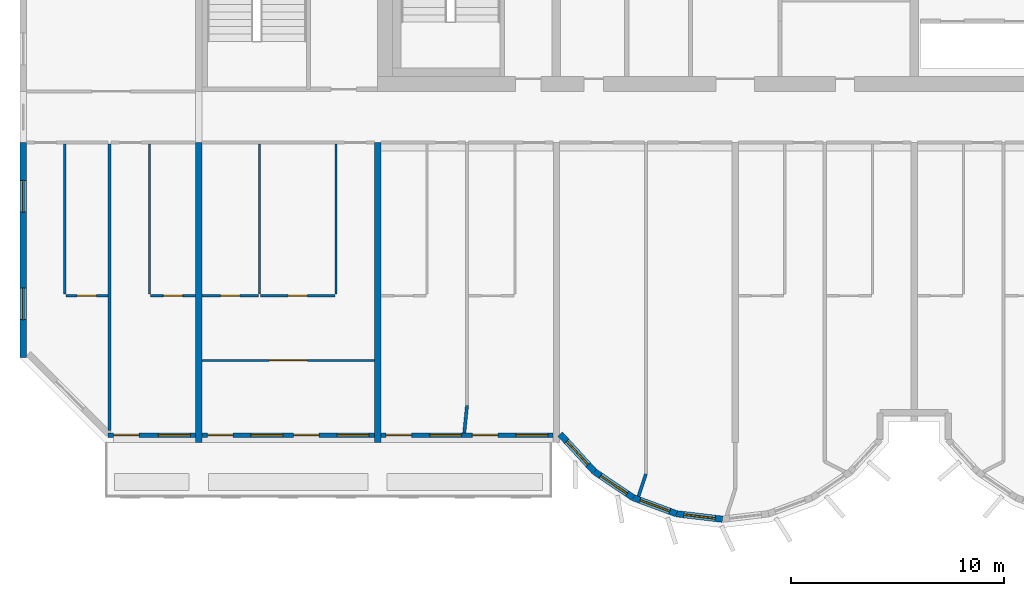
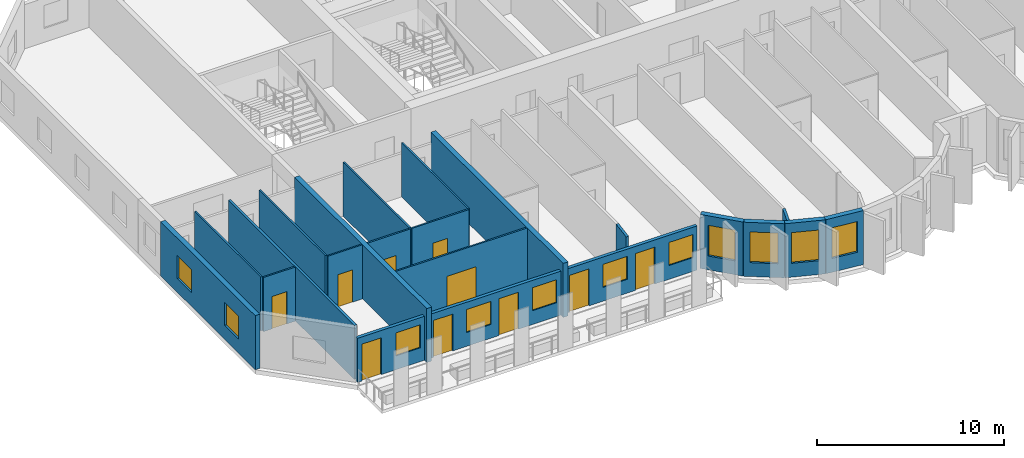
# One storey, part 2 of 13: 22 walls, 11 windows, 10 doors, 21 openings.
"""IFC4 building model written with IfcOpenShell, lengths in metres."""

from ifc_helpers import new_model, si_unit, direction, frame, frame_2d, origin, place, context, subcontext, project, spatial, rectangle, extrude, source, transform, mapped, material, layer, layer_set, type_object, element, fill, save


model = new_model("IFC4")

# Units and contexts
model_context = context("Model", 3, precision=1e-05, world=origin(), true_north=direction((0.0, 1.0)))
body_context = subcontext(model_context, "Body", "Model", "MODEL_VIEW")
ifc_project = project(units=[si_unit("LENGTHUNIT", "METRE"), si_unit("AREAUNIT", "SQUARE_METRE"), si_unit("VOLUMEUNIT", "CUBIC_METRE"), si_unit("PLANEANGLEUNIT", "RADIAN"), si_unit("MASSUNIT", "GRAM", prefix="KILO")], contexts=[model_context])

# Site, building, storey
site_placement = place(None, origin())
site = spatial("IfcSite", under=ifc_project, at=site_placement, CompositionType="ELEMENT")
building_placement = place(site_placement, origin())
building = spatial("IfcBuilding", under=site, at=building_placement, Name="Vanashikhar Sky Hotel", CompositionType="ELEMENT")
storey_placement = place(building_placement, frame((0.0, 0.0, 166.800048828125)))
storey = spatial("IfcBuildingStorey", under=building, at=storey_placement, Name="L40", CompositionType="ELEMENT", Elevation=166.800048828125)

# Wall, openings, windows
ifc_material_1 = material(Name="Concrete M60", Category="concrete")
ifc_layer_1 = layer(ifc_material_1, 0.300048828125)
ifc_layer_set_1 = layer_set([ifc_layer_1], Name="RC shear wall 300 Concrete M60")
wall_type_1 = type_object("IfcWallType", Name="RC shear wall 300 Concrete M60", PredefinedType="SHEAR", material=ifc_layer_set_1)
shared_shape_1 = source(origin(), body_context, "Body", "SweptSolid", [
    extrude(rectangle(XDim=10.10009765625, YDim=0.300048828125, at=frame_2d((5.050048828125, 0.0))), origin(), (0.0, 0.0, 1.0), 3.52001953125),
])
wall_1_placement = place(storey_placement, frame((8.550048828125, 9.5, 0.0), z_axis=(0.0, 0.0, 1.0), x_axis=(0.0, 1.0, 0.0)))
wall_1 = element("IfcWall", 1, at=wall_1_placement, inside=storey, type_object=wall_type_1, Name="CW-L40-XW02-1", PredefinedType="SHEAR", context=body_context, shape_type="MappedRepresentation", body=[
    mapped(shared_shape_1, transform((0.0, 0.0, 0.0), scale=1.0)),
])
shared_shape_2 = source(origin(), body_context, "Body", "SweptSolid", [
    extrude(rectangle(XDim=1.5, YDim=1.5, at=frame_2d((0.75, 0.75))), frame((0.0, 0.16015625, 0.0), z_axis=(0.0, -1.0, 0.0), x_axis=(1.0, 0.0, 0.0)), (0.0, 0.0, 1.0), 0.320068359375),
])
opening_1_placement = place(wall_1_placement, frame((1.77490234375, 0.0, 0.89990234375)))
opening_1 = element("IfcOpeningElement", 2, at=opening_1_placement, cuts=wall_1, Name="Opening WN-1", PredefinedType="OPENING", context=body_context, shape_type="MappedRepresentation", body=[
    mapped(shared_shape_2, transform((0.0, 0.0, 0.0), scale=1.0)),
])
opening_2_placement = place(wall_1_placement, frame((6.824951171875, 0.0, 0.89990234375)))
opening_2 = element("IfcOpeningElement", 3, at=opening_2_placement, cuts=wall_1, Name="Opening WN-1", PredefinedType="OPENING", context=body_context, shape_type="MappedRepresentation", body=[
    mapped(shared_shape_2, transform((0.0, 0.0, 0.0), scale=1.0)),
])
ifc_material_2 = material(Name="Glass", Category="glass")
window_type_1 = type_object("IfcWindowType", Name="Window 1500 x 1500", PartitioningType="SINGLE_PANEL", PredefinedType="WINDOW", material=ifc_material_2)
shared_shape_3 = source(origin(), body_context, "Body", "SweptSolid", [
    extrude(rectangle(XDim=1.5, YDim=1.5, at=frame_2d((0.75, 0.75))), frame((0.0, 0.030029296875, 0.0), z_axis=(0.0, -1.0, 0.0), x_axis=(1.0, 0.0, 0.0)), (0.0, 0.0, 1.0), 0.06005859375),
])
window_1_placement = place(opening_1_placement, origin())
window_1 = element("IfcWindow", 4, at=window_1_placement, inside=storey, type_object=window_type_1, Name="Window WN-1", OverallHeight=1.5, OverallWidth=1.5, PartitioningType="SINGLE_PANEL", PredefinedType="WINDOW", context=body_context, shape_type="MappedRepresentation", body=[
    mapped(shared_shape_3, transform((0.0, 0.0, 0.0), scale=1.0)),
])
fill(opening_1, window_1)
window_2_placement = place(opening_2_placement, origin())
window_2 = element("IfcWindow", 5, at=window_2_placement, inside=storey, type_object=window_type_1, Name="Window WN-1", OverallHeight=1.5, OverallWidth=1.5, PartitioningType="SINGLE_PANEL", PredefinedType="WINDOW", context=body_context, shape_type="MappedRepresentation", body=[
    mapped(shared_shape_3, transform((0.0, 0.0, 0.0), scale=1.0)),
])
fill(opening_2, window_2)

# Walls
shared_shape_4 = source(origin(), body_context, "Body", "SweptSolid", [
    extrude(rectangle(XDim=14.10009765625, YDim=0.300048828125, at=frame_2d((7.050048828125, 0.0))), origin(), (0.0, 0.0, 1.0), 3.52001953125),
])
for number, where, z_axis, x_axis, name in (
    (6, (16.800048828125, 5.5, 0.0), (0.0, 0.0, 1.0), (0.0, 1.0, 0.0), "CW-L40-XW03-1"),
    (7, (25.199951171875, 5.5, 0.0), (0.0, 0.0, 1.0), (0.0, 1.0, 0.0), "CW-L40-XW04-1"),
):
    element("IfcWall", number, at=place(storey_placement, frame(where, z_axis=z_axis, x_axis=x_axis)), inside=storey, type_object=wall_type_1, Name=name, PredefinedType="SHEAR", context=body_context, shape_type="MappedRepresentation", body=[
        mapped(shared_shape_4, transform((0.0, 0.0, 0.0), scale=1.0)),
    ])

# Wall, opening, window
ifc_material_3 = material(Name="Concrete M50", Category="concrete")
ifc_layer_2 = layer(ifc_material_3, 0.300048828125)
ifc_layer_set_2 = layer_set([ifc_layer_2], Name="Lobe wall 300")
wall_type_2 = type_object("IfcWallType", Name="Lobe wall 300", PredefinedType="SOLIDWALL", material=ifc_layer_set_2)
shared_shape_5 = source(origin(), body_context, "Body", "SweptSolid", [
    extrude(rectangle(XDim=2.398193359375, YDim=0.300048828125, at=frame_2d((1.19921875, 0.0))), origin(), (0.0, 0.0, 1.0), 3.52001953125),
])
wall_2_placement = place(storey_placement, frame((33.776123046875, 5.89990234375, 0.0), z_axis=(0.0, 0.0, 1.0), x_axis=(0.675374189419, -0.737475222815, 0.0)))
wall_2 = element("IfcWall", 8, at=wall_2_placement, inside=storey, type_object=wall_type_2, Name="Lobe wall", PredefinedType="SOLIDWALL", context=body_context, shape_type="MappedRepresentation", body=[
    mapped(shared_shape_5, transform((0.0, 0.0, 0.0), scale=1.0)),
])
shared_shape_6 = source(origin(), body_context, "Body", "SweptSolid", [
    extrude(rectangle(XDim=1.5, YDim=2.0, at=frame_2d((0.75, 1.0))), frame((0.0, 0.16015625, 0.0), z_axis=(0.0, -1.0, 0.0), x_axis=(1.0, 0.0, 0.0)), (0.0, 0.0, 1.0), 0.320068359375),
])
opening_3_placement = place(wall_2_placement, frame((0.44921875, 0.0, 0.89990234375)))
opening_3 = element("IfcOpeningElement", 9, at=opening_3_placement, cuts=wall_2, Name="Opening WN-2", PredefinedType="OPENING", context=body_context, shape_type="MappedRepresentation", body=[
    mapped(shared_shape_6, transform((0.0, 0.0, 0.0), scale=1.0)),
])
window_type_2 = type_object("IfcWindowType", Name="Lobe window 1500 x 2000", PartitioningType="SINGLE_PANEL", PredefinedType="WINDOW", material=ifc_material_2)
shared_shape_7 = source(origin(), body_context, "Body", "SweptSolid", [
    extrude(rectangle(XDim=1.5, YDim=2.0, at=frame_2d((0.75, 1.0))), frame((0.0, 0.030029296875, 0.0), z_axis=(0.0, -1.0, 0.0), x_axis=(1.0, 0.0, 0.0)), (0.0, 0.0, 1.0), 0.06005859375),
])
window_3_placement = place(opening_3_placement, origin())
window_3 = element("IfcWindow", 10, at=window_3_placement, inside=storey, type_object=window_type_2, Name="Window WN-2", OverallHeight=2.0, OverallWidth=1.5, PartitioningType="SINGLE_PANEL", PredefinedType="WINDOW", context=body_context, shape_type="MappedRepresentation", body=[
    mapped(shared_shape_7, transform((0.0, 0.0, 0.0), scale=1.0)),
])
fill(opening_3, window_3)

shared_shape_8 = source(origin(), body_context, "Body", "SweptSolid", [
    extrude(rectangle(XDim=2.17578125, YDim=0.300048828125, at=frame_2d((1.087890625, 0.0))), origin(), (0.0, 0.0, 1.0), 3.52001953125),
])
wall_3_placement = place(storey_placement, frame((35.395751953125, 4.13134765625, 0.0), z_axis=(0.0, 0.0, 1.0), x_axis=(0.829590746428, -0.558371913192, 0.0)))
wall_3 = element("IfcWall", 11, at=wall_3_placement, inside=storey, type_object=wall_type_2, Name="Lobe wall", PredefinedType="SOLIDWALL", context=body_context, shape_type="MappedRepresentation", body=[
    mapped(shared_shape_8, transform((0.0, 0.0, 0.0), scale=1.0)),
])
opening_4_placement = place(wall_3_placement, frame((0.337890625, 0.0, 0.89990234375)))
opening_4 = element("IfcOpeningElement", 12, at=opening_4_placement, cuts=wall_3, Name="Opening WN-2", PredefinedType="OPENING", context=body_context, shape_type="MappedRepresentation", body=[
    mapped(shared_shape_6, transform((0.0, 0.0, 0.0), scale=1.0)),
])
window_4_placement = place(opening_4_placement, origin())
window_4 = element("IfcWindow", 13, at=window_4_placement, inside=storey, type_object=window_type_2, Name="Window WN-2", OverallHeight=2.0, OverallWidth=1.5, PartitioningType="SINGLE_PANEL", PredefinedType="WINDOW", context=body_context, shape_type="MappedRepresentation", body=[
    mapped(shared_shape_7, transform((0.0, 0.0, 0.0), scale=1.0)),
])
fill(opening_4, window_4)

wall_4_placement = place(storey_placement, frame((37.20068359375, 2.91650390625, 0.0), z_axis=(0.0, 0.0, 1.0), x_axis=(0.93754555999, -0.347862505801, 0.0)))
wall_4 = element("IfcWall", 14, at=wall_4_placement, inside=storey, type_object=wall_type_2, Name="Lobe wall", PredefinedType="SOLIDWALL", context=body_context, shape_type="MappedRepresentation", body=[
    mapped(shared_shape_8, transform((0.0, 0.0, 0.0), scale=1.0)),
])
opening_5_placement = place(wall_4_placement, frame((0.337890625, 0.0, 0.89990234375)))
opening_5 = element("IfcOpeningElement", 15, at=opening_5_placement, cuts=wall_4, Name="Opening WN-2", PredefinedType="OPENING", context=body_context, shape_type="MappedRepresentation", body=[
    mapped(shared_shape_6, transform((0.0, 0.0, 0.0), scale=1.0)),
])
window_5_placement = place(opening_5_placement, origin())
window_5 = element("IfcWindow", 16, at=window_5_placement, inside=storey, type_object=window_type_2, Name="Window WN-2", OverallHeight=2.0, OverallWidth=1.5, PartitioningType="SINGLE_PANEL", PredefinedType="WINDOW", context=body_context, shape_type="MappedRepresentation", body=[
    mapped(shared_shape_7, transform((0.0, 0.0, 0.0), scale=1.0)),
])
fill(opening_5, window_5)

shared_shape_9 = source(origin(), body_context, "Body", "SweptSolid", [
    extrude(rectangle(XDim=2.174560546875, YDim=0.300048828125, at=frame_2d((1.08740234375, 0.0))), origin(), (0.0, 0.0, 1.0), 3.52001953125),
])
wall_5_placement = place(storey_placement, frame((39.240478515625, 2.15966796875, 0.0), z_axis=(0.0, 0.0, 1.0), x_axis=(0.993001132889, -0.118104826659, 0.0)))
wall_5 = element("IfcWall", 17, at=wall_5_placement, inside=storey, type_object=wall_type_2, Name="Lobe wall", PredefinedType="SOLIDWALL", context=body_context, shape_type="MappedRepresentation", body=[
    mapped(shared_shape_9, transform((0.0, 0.0, 0.0), scale=1.0)),
])
opening_6_placement = place(wall_5_placement, frame((0.33740234375, 0.0, 0.89990234375)))
opening_6 = element("IfcOpeningElement", 18, at=opening_6_placement, cuts=wall_5, Name="Opening WN-2", PredefinedType="OPENING", context=body_context, shape_type="MappedRepresentation", body=[
    mapped(shared_shape_6, transform((0.0, 0.0, 0.0), scale=1.0)),
])
window_6_placement = place(opening_6_placement, origin())
window_6 = element("IfcWindow", 19, at=window_6_placement, inside=storey, type_object=window_type_2, Name="Window WN-2", OverallHeight=2.0, OverallWidth=1.5, PartitioningType="SINGLE_PANEL", PredefinedType="WINDOW", context=body_context, shape_type="MappedRepresentation", body=[
    mapped(shared_shape_7, transform((0.0, 0.0, 0.0), scale=1.0)),
])
fill(opening_6, window_6)

# Wall, openings, window, door
ifc_layer_3 = layer(ifc_material_3, 0.199951171875)
ifc_layer_set_3 = layer_set([ifc_layer_3], Name="Front window wall 200")
wall_type_3 = type_object("IfcWallType", Name="Front window wall 200", PredefinedType="SOLIDWALL", material=ifc_layer_set_3)
shared_shape_10 = source(origin(), body_context, "Body", "SweptSolid", [
    extrude(rectangle(XDim=4.10498046875, YDim=0.199951171875, at=frame_2d((2.052490234375, 0.0))), origin(), (0.0, 0.0, 1.0), 2.869873046875),
])
wall_6_placement = place(storey_placement, frame((12.544921875, 5.85009765625, 0.0), z_axis=(0.0, 0.0, 1.0), x_axis=(1.0, 0.0, 0.0)))
wall_6 = element("IfcWall", 20, at=wall_6_placement, inside=storey, type_object=wall_type_3, Name="Front window wall", PredefinedType="SOLIDWALL", context=body_context, shape_type="MappedRepresentation", body=[
    mapped(shared_shape_10, transform((0.0, 0.0, 0.0), scale=1.0)),
])
shared_shape_11 = source(origin(), body_context, "Body", "SweptSolid", [
    extrude(rectangle(XDim=1.199951171875, YDim=2.39990234375, at=frame_2d((0.60009765625, 1.199951171875))), frame((0.0, 0.10986328125, 0.0), z_axis=(0.0, -1.0, 0.0), x_axis=(1.0, 0.0, 0.0)), (0.0, 0.0, 1.0), 0.219970703125),
])
opening_7_placement = place(wall_6_placement, frame((0.25, 0.0, 0.0)))
opening_7 = element("IfcOpeningElement", 21, at=opening_7_placement, cuts=wall_6, Name="Opening BD-01", PredefinedType="OPENING", context=body_context, shape_type="MappedRepresentation", body=[
    mapped(shared_shape_11, transform((0.0, 0.0, 0.0), scale=1.0)),
])
shared_shape_12 = source(origin(), body_context, "Body", "SweptSolid", [
    extrude(rectangle(XDim=1.5, YDim=1.5, at=frame_2d((0.75, 0.75))), frame((0.0, 0.10986328125, 0.0), z_axis=(0.0, -1.0, 0.0), x_axis=(1.0, 0.0, 0.0)), (0.0, 0.0, 1.0), 0.219970703125),
])
opening_8_placement = place(wall_6_placement, frame((2.35498046875, 0.0, 0.89990234375)))
opening_8 = element("IfcOpeningElement", 22, at=opening_8_placement, cuts=wall_6, Name="Opening WN-1", PredefinedType="OPENING", context=body_context, shape_type="MappedRepresentation", body=[
    mapped(shared_shape_12, transform((0.0, 0.0, 0.0), scale=1.0)),
])
window_7_placement = place(opening_8_placement, origin())
window_7 = element("IfcWindow", 23, at=window_7_placement, inside=storey, type_object=window_type_1, Name="Window WN-1", OverallHeight=1.5, OverallWidth=1.5, PartitioningType="SINGLE_PANEL", PredefinedType="WINDOW", context=body_context, shape_type="MappedRepresentation", body=[
    mapped(shared_shape_3, transform((0.0, 0.0, 0.0), scale=1.0)),
])
fill(opening_8, window_7)
ifc_material_4 = material(Name="Aluminium", Category="aluminium")
door_type_1 = type_object("IfcDoorType", Name="Balcony sliding door 1200 x 2400", OperationType="NOTDEFINED", PredefinedType="DOOR", material=ifc_material_4)
shared_shape_13 = source(origin(), body_context, "Body", "SweptSolid", [
    extrude(rectangle(XDim=1.199951171875, YDim=2.39990234375, at=frame_2d((0.60009765625, 1.199951171875))), frame((0.0, 0.02490234375, 0.0), z_axis=(0.0, -1.0, 0.0), x_axis=(1.0, 0.0, 0.0)), (0.0, 0.0, 1.0), 0.050048828125),
])
door_1_placement = place(opening_7_placement, origin())
door_1 = element("IfcDoor", 24, at=door_1_placement, inside=storey, type_object=door_type_1, Name="Balcony sliding door", OperationType="SLIDING_TO_LEFT", OverallHeight=2.39990234375, OverallWidth=1.199951171875, PredefinedType="DOOR", context=body_context, shape_type="MappedRepresentation", body=[
    mapped(shared_shape_13, transform((0.0, 0.0, 0.0), scale=1.0)),
])
fill(opening_7, door_1)

# Wall, openings, windows, doors
shared_shape_14 = source(origin(), body_context, "Body", "SweptSolid", [
    extrude(rectangle(XDim=8.10009765625, YDim=0.199951171875, at=frame_2d((4.050048828125, 0.0))), origin(), (0.0, 0.0, 1.0), 2.869873046875),
])
wall_7_placement = place(storey_placement, frame((16.949951171875, 5.85009765625, 0.0), z_axis=(0.0, 0.0, 1.0), x_axis=(1.0, 0.0, 0.0)))
wall_7 = element("IfcWall", 25, at=wall_7_placement, inside=storey, type_object=wall_type_3, Name="Front window wall", PredefinedType="SOLIDWALL", context=body_context, shape_type="MappedRepresentation", body=[
    mapped(shared_shape_14, transform((0.0, 0.0, 0.0), scale=1.0)),
])
opening_9_placement = place(wall_7_placement, frame((0.25, 0.0, 0.0)))
opening_9 = element("IfcOpeningElement", 26, at=opening_9_placement, cuts=wall_7, Name="Opening BD-02", PredefinedType="OPENING", context=body_context, shape_type="MappedRepresentation", body=[
    mapped(shared_shape_11, transform((0.0, 0.0, 0.0), scale=1.0)),
])
opening_10_placement = place(wall_7_placement, frame((2.300048828125, 0.0, 0.89990234375)))
opening_10 = element("IfcOpeningElement", 27, at=opening_10_placement, cuts=wall_7, Name="Opening WN-1", PredefinedType="OPENING", context=body_context, shape_type="MappedRepresentation", body=[
    mapped(shared_shape_12, transform((0.0, 0.0, 0.0), scale=1.0)),
])
opening_11_placement = place(wall_7_placement, frame((4.300048828125, 0.0, 0.0)))
opening_11 = element("IfcOpeningElement", 28, at=opening_11_placement, cuts=wall_7, Name="Opening BD-03", PredefinedType="OPENING", context=body_context, shape_type="MappedRepresentation", body=[
    mapped(shared_shape_11, transform((0.0, 0.0, 0.0), scale=1.0)),
])
opening_12_placement = place(wall_7_placement, frame((6.35009765625, 0.0, 0.89990234375)))
opening_12 = element("IfcOpeningElement", 29, at=opening_12_placement, cuts=wall_7, Name="Opening WN-1", PredefinedType="OPENING", context=body_context, shape_type="MappedRepresentation", body=[
    mapped(shared_shape_12, transform((0.0, 0.0, 0.0), scale=1.0)),
])
window_8_placement = place(opening_10_placement, origin())
window_8 = element("IfcWindow", 30, at=window_8_placement, inside=storey, type_object=window_type_1, Name="Window WN-1", OverallHeight=1.5, OverallWidth=1.5, PartitioningType="SINGLE_PANEL", PredefinedType="WINDOW", context=body_context, shape_type="MappedRepresentation", body=[
    mapped(shared_shape_3, transform((0.0, 0.0, 0.0), scale=1.0)),
])
fill(opening_10, window_8)
window_9_placement = place(opening_12_placement, origin())
window_9 = element("IfcWindow", 31, at=window_9_placement, inside=storey, type_object=window_type_1, Name="Window WN-1", OverallHeight=1.5, OverallWidth=1.5, PartitioningType="SINGLE_PANEL", PredefinedType="WINDOW", context=body_context, shape_type="MappedRepresentation", body=[
    mapped(shared_shape_3, transform((0.0, 0.0, 0.0), scale=1.0)),
])
fill(opening_12, window_9)
door_2_placement = place(opening_9_placement, origin())
door_2 = element("IfcDoor", 32, at=door_2_placement, inside=storey, type_object=door_type_1, Name="Balcony sliding door", OperationType="SLIDING_TO_RIGHT", OverallHeight=2.39990234375, OverallWidth=1.199951171875, PredefinedType="DOOR", context=body_context, shape_type="MappedRepresentation", body=[
    mapped(shared_shape_13, transform((0.0, 0.0, 0.0), scale=1.0)),
])
fill(opening_9, door_2)
door_3_placement = place(opening_11_placement, origin())
door_3 = element("IfcDoor", 33, at=door_3_placement, inside=storey, type_object=door_type_1, Name="Balcony sliding door", OperationType="SLIDING_TO_LEFT", OverallHeight=2.39990234375, OverallWidth=1.199951171875, PredefinedType="DOOR", context=body_context, shape_type="MappedRepresentation", body=[
    mapped(shared_shape_13, transform((0.0, 0.0, 0.0), scale=1.0)),
])
fill(opening_11, door_3)

shared_shape_15 = source(origin(), body_context, "Body", "SweptSolid", [
    extrude(rectangle(XDim=8.099853515625, YDim=0.199951171875, at=frame_2d((4.0498046875, 0.0))), origin(), (0.0, 0.0, 1.0), 2.869873046875),
])
wall_8_placement = place(storey_placement, frame((25.35009765625, 5.85009765625, 0.0), z_axis=(0.0, 0.0, 1.0), x_axis=(1.0, 0.0, 0.0)))
wall_8 = element("IfcWall", 34, at=wall_8_placement, inside=storey, type_object=wall_type_3, Name="Front window wall", PredefinedType="SOLIDWALL", context=body_context, shape_type="MappedRepresentation", body=[
    mapped(shared_shape_15, transform((0.0, 0.0, 0.0), scale=1.0)),
])
opening_13_placement = place(wall_8_placement, frame((0.25, 0.0, 0.0)))
opening_13 = element("IfcOpeningElement", 35, at=opening_13_placement, cuts=wall_8, Name="Opening BD-04", PredefinedType="OPENING", context=body_context, shape_type="MappedRepresentation", body=[
    mapped(shared_shape_11, transform((0.0, 0.0, 0.0), scale=1.0)),
])
opening_14_placement = place(wall_8_placement, frame((2.300048828125, 0.0, 0.89990234375)))
opening_14 = element("IfcOpeningElement", 36, at=opening_14_placement, cuts=wall_8, Name="Opening WN-1", PredefinedType="OPENING", context=body_context, shape_type="MappedRepresentation", body=[
    mapped(shared_shape_12, transform((0.0, 0.0, 0.0), scale=1.0)),
])
opening_15_placement = place(wall_8_placement, frame((4.300048828125, 0.0, 0.0)))
opening_15 = element("IfcOpeningElement", 37, at=opening_15_placement, cuts=wall_8, Name="Opening BD-05", PredefinedType="OPENING", context=body_context, shape_type="MappedRepresentation", body=[
    mapped(shared_shape_11, transform((0.0, 0.0, 0.0), scale=1.0)),
])
opening_16_placement = place(wall_8_placement, frame((6.35009765625, 0.0, 0.89990234375)))
opening_16 = element("IfcOpeningElement", 38, at=opening_16_placement, cuts=wall_8, Name="Opening WN-1", PredefinedType="OPENING", context=body_context, shape_type="MappedRepresentation", body=[
    mapped(shared_shape_12, transform((0.0, 0.0, 0.0), scale=1.0)),
])
window_10_placement = place(opening_14_placement, origin())
window_10 = element("IfcWindow", 39, at=window_10_placement, inside=storey, type_object=window_type_1, Name="Window WN-1", OverallHeight=1.5, OverallWidth=1.5, PartitioningType="SINGLE_PANEL", PredefinedType="WINDOW", context=body_context, shape_type="MappedRepresentation", body=[
    mapped(shared_shape_3, transform((0.0, 0.0, 0.0), scale=1.0)),
])
fill(opening_14, window_10)
window_11_placement = place(opening_16_placement, origin())
window_11 = element("IfcWindow", 40, at=window_11_placement, inside=storey, type_object=window_type_1, Name="Window WN-1", OverallHeight=1.5, OverallWidth=1.5, PartitioningType="SINGLE_PANEL", PredefinedType="WINDOW", context=body_context, shape_type="MappedRepresentation", body=[
    mapped(shared_shape_3, transform((0.0, 0.0, 0.0), scale=1.0)),
])
fill(opening_16, window_11)
door_4_placement = place(opening_13_placement, origin())
door_4 = element("IfcDoor", 41, at=door_4_placement, inside=storey, type_object=door_type_1, Name="Balcony sliding door", OperationType="SLIDING_TO_RIGHT", OverallHeight=2.39990234375, OverallWidth=1.199951171875, PredefinedType="DOOR", context=body_context, shape_type="MappedRepresentation", body=[
    mapped(shared_shape_13, transform((0.0, 0.0, 0.0), scale=1.0)),
])
fill(opening_13, door_4)
door_5_placement = place(opening_15_placement, origin())
door_5 = element("IfcDoor", 42, at=door_5_placement, inside=storey, type_object=door_type_1, Name="Balcony sliding door", OperationType="SLIDING_TO_LEFT", OverallHeight=2.39990234375, OverallWidth=1.199951171875, PredefinedType="DOOR", context=body_context, shape_type="MappedRepresentation", body=[
    mapped(shared_shape_13, transform((0.0, 0.0, 0.0), scale=1.0)),
])
fill(opening_15, door_5)

# Walls
ifc_material_5 = material(Name="Gypsum plasterboard partition")
ifc_layer_4 = layer(ifc_material_5, 0.10009765625)
ifc_layer_set_4 = layer_set([ifc_layer_4], Name="Wet room partition 100")
wall_type_4 = type_object("IfcWallType", Name="Wet room partition 100", PredefinedType="PARTITIONING", material=ifc_layer_set_4)
shared_shape_16 = source(origin(), body_context, "Body", "SweptSolid", [
    extrude(rectangle(XDim=7.0498046875, YDim=0.10009765625, at=frame_2d((3.52490234375, 0.0))), origin(), (0.0, 0.0, 1.0), 3.52001953125),
])
for number, where, z_axis, x_axis, name in (
    (43, (10.5, 12.47509765625, 0.0), (0.0, 0.0, 1.0), (0.0, 1.0, 0.0), "W-L40-PW001"),
    (44, (14.47509765625, 12.47509765625, 0.0), (0.0, 0.0, 1.0), (0.0, 1.0, 0.0), "W-L40-PW004"),
    (45, (23.25, 12.47509765625, 0.0), (0.0, 0.0, 1.0), (0.0, 1.0, 0.0), "W-L40-PW008"),
    (46, (19.64990234375, 12.47509765625, 0.0), (0.0, 0.0, 1.0), (0.0, 1.0, 0.0), "W-L40-PW009"),
):
    element("IfcWall", number, at=place(storey_placement, frame(where, z_axis=z_axis, x_axis=x_axis)), inside=storey, type_object=wall_type_4, Name=name, PredefinedType="PARTITIONING", context=body_context, shape_type="MappedRepresentation", body=[
        mapped(shared_shape_16, transform((0.0, 0.0, 0.0), scale=1.0)),
    ])

# Wall, opening, door
shared_shape_17 = source(origin(), body_context, "Body", "SweptSolid", [
    extrude(rectangle(XDim=3.5, YDim=0.10009765625, at=frame_2d((1.75, 0.0))), origin(), (0.0, 0.0, 1.0), 3.52001953125),
])
wall_9_placement = place(storey_placement, frame((19.699951171875, 12.39990234375, 0.0), z_axis=(0.0, 0.0, 1.0), x_axis=(1.0, 0.0, 0.0)))
wall_9 = element("IfcWall", 47, at=wall_9_placement, inside=storey, type_object=wall_type_4, Name="W-L40-PW010", PredefinedType="PARTITIONING", context=body_context, shape_type="MappedRepresentation", body=[
    mapped(shared_shape_17, transform((0.0, 0.0, 0.0), scale=1.0)),
])
shared_shape_18 = source(origin(), body_context, "Body", "SweptSolid", [
    extrude(rectangle(XDim=0.89990234375, YDim=2.10009765625, at=frame_2d((0.449951171875, 1.050048828125))), frame((0.0, 0.06005859375, 0.0), z_axis=(0.0, -1.0, 0.0), x_axis=(1.0, 0.0, 0.0)), (0.0, 0.0, 1.0), 0.1201171875),
])
opening_17_placement = place(wall_9_placement, frame((1.300048828125, 0.0, 0.0)))
opening_17 = element("IfcOpeningElement", 48, at=opening_17_placement, cuts=wall_9, Name="Opening D-02", PredefinedType="OPENING", context=body_context, shape_type="MappedRepresentation", body=[
    mapped(shared_shape_18, transform((0.0, 0.0, 0.0), scale=1.0)),
])
ifc_material_6 = material(Name="Timber door", Category="wood")
door_type_2 = type_object("IfcDoorType", Name="Internal door 900", OperationType="NOTDEFINED", PredefinedType="DOOR", material=ifc_material_6)
shared_shape_19 = source(origin(), body_context, "Body", "SweptSolid", [
    extrude(rectangle(XDim=0.89990234375, YDim=2.10009765625, at=frame_2d((0.449951171875, 1.050048828125))), frame((0.0, 0.02490234375, 0.0), z_axis=(0.0, -1.0, 0.0), x_axis=(1.0, 0.0, 0.0)), (0.0, 0.0, 1.0), 0.050048828125),
])
door_6_placement = place(opening_17_placement, origin())
door_6 = element("IfcDoor", 49, at=door_6_placement, inside=storey, type_object=door_type_2, Name="D-L40-005", OperationType="SINGLE_SWING_RIGHT", OverallHeight=2.10009765625, OverallWidth=0.89990234375, PredefinedType="DOOR", context=body_context, shape_type="MappedRepresentation", body=[
    mapped(shared_shape_19, transform((0.0, 0.0, 0.0), scale=1.0)),
])
fill(opening_17, door_6)

# Walls
ifc_layer_5 = layer(ifc_material_5, 0.14990234375)
ifc_layer_set_5 = layer_set([ifc_layer_5], Name="Corridor and demising partition 150")
wall_type_5 = type_object("IfcWallType", Name="Corridor and demising partition 150", PredefinedType="PARTITIONING", material=ifc_layer_set_5)
shared_shape_20 = source(origin(), body_context, "Body", "SweptSolid", [
    extrude(rectangle(XDim=1.100830078125, YDim=0.14990234375, at=frame_2d((0.55029296875, 0.0))), origin(), (0.0, 0.0, 1.0), 3.52001953125),
])
wall_10_placement = place(storey_placement, frame((37.45703125, 2.98095703125, 0.0), z_axis=(0.0, 0.0, 1.0), x_axis=(0.311567081539, 0.950224159712, 0.0)))
element("IfcWall", 50, at=wall_10_placement, inside=storey, type_object=wall_type_5, Name="W-L40-PW023B0", PredefinedType="PARTITIONING", context=body_context, shape_type="MappedRepresentation", body=[
    mapped(shared_shape_20, transform((0.0, 0.0, 0.0), scale=1.0)),
])
shared_shape_21 = source(origin(), body_context, "Body", "SweptSolid", [
    extrude(rectangle(XDim=13.447021484375, YDim=0.14990234375, at=frame_2d((6.7236328125, 0.0))), origin(), (0.0, 0.0, 1.0), 3.52001953125),
])
wall_11_placement = place(storey_placement, frame((12.60009765625, 6.077880859375, 0.0), z_axis=(0.0, 0.0, 1.0), x_axis=(0.0, 1.0, 0.0)))
element("IfcWall", 51, at=wall_11_placement, inside=storey, type_object=wall_type_5, Name="W-L40-PW007", PredefinedType="PARTITIONING", context=body_context, shape_type="MappedRepresentation", body=[
    mapped(shared_shape_21, transform((0.0, 0.0, 0.0), scale=1.0)),
])
shared_shape_22 = source(origin(), body_context, "Body", "SweptSolid", [
    extrude(rectangle(XDim=1.306640625, YDim=0.14990234375, at=frame_2d((0.6533203125, 0.0))), origin(), (0.0, 0.0, 1.0), 3.52001953125),
])
wall_12_placement = place(storey_placement, frame((29.27001953125, 5.949951171875, 0.0), z_axis=(0.0, 0.0, 1.0), x_axis=(0.099411212066, 0.995046436562, 0.0)))
element("IfcWall", 52, at=wall_12_placement, inside=storey, type_object=wall_type_5, Name="W-L40-PW020B0", PredefinedType="PARTITIONING", context=body_context, shape_type="MappedRepresentation", body=[
    mapped(shared_shape_22, transform((0.0, 0.0, 0.0), scale=1.0)),
])

# Wall, opening, door
shared_shape_23 = source(origin(), body_context, "Body", "SweptSolid", [
    extrude(rectangle(XDim=2.125, YDim=0.10009765625, at=frame_2d((1.0625, 0.0))), origin(), (0.0, 0.0, 1.0), 3.52001953125),
])
wall_13_placement = place(storey_placement, frame((14.52490234375, 12.39990234375, 0.0), z_axis=(0.0, 0.0, 1.0), x_axis=(1.0, 0.0, 0.0)))
wall_13 = element("IfcWall", 53, at=wall_13_placement, inside=storey, type_object=wall_type_4, Name="W-L40-PW005", PredefinedType="PARTITIONING", context=body_context, shape_type="MappedRepresentation", body=[
    mapped(shared_shape_23, transform((0.0, 0.0, 0.0), scale=1.0)),
])
opening_18_placement = place(wall_13_placement, frame((0.612060546875, 0.0, 0.0)))
opening_18 = element("IfcOpeningElement", 54, at=opening_18_placement, cuts=wall_13, Name="Opening D-02", PredefinedType="OPENING", context=body_context, shape_type="MappedRepresentation", body=[
    mapped(shared_shape_18, transform((0.0, 0.0, 0.0), scale=1.0)),
])
door_7_placement = place(opening_18_placement, origin())
door_7 = element("IfcDoor", 55, at=door_7_placement, inside=storey, type_object=door_type_2, Name="D-L40-003", OperationType="SINGLE_SWING_LEFT", OverallHeight=2.10009765625, OverallWidth=0.89990234375, PredefinedType="DOOR", context=body_context, shape_type="MappedRepresentation", body=[
    mapped(shared_shape_19, transform((0.0, 0.0, 0.0), scale=1.0)),
])
fill(opening_18, door_7)

shared_shape_24 = source(origin(), body_context, "Body", "SweptSolid", [
    extrude(rectangle(XDim=2.650146484375, YDim=0.10009765625, at=frame_2d((1.3251953125, 0.0))), origin(), (0.0, 0.0, 1.0), 3.52001953125),
])
wall_14_placement = place(storey_placement, frame((16.949951171875, 12.39990234375, 0.0), z_axis=(0.0, 0.0, 1.0), x_axis=(1.0, 0.0, 0.0)))
wall_14 = element("IfcWall", 56, at=wall_14_placement, inside=storey, type_object=wall_type_4, Name="W-L40-PW011", PredefinedType="PARTITIONING", context=body_context, shape_type="MappedRepresentation", body=[
    mapped(shared_shape_24, transform((0.0, 0.0, 0.0), scale=1.0)),
])
opening_19_placement = place(wall_14_placement, frame((0.875, 0.0, 0.0)))
opening_19 = element("IfcOpeningElement", 57, at=opening_19_placement, cuts=wall_14, Name="Opening D-02", PredefinedType="OPENING", context=body_context, shape_type="MappedRepresentation", body=[
    mapped(shared_shape_18, transform((0.0, 0.0, 0.0), scale=1.0)),
])
door_8_placement = place(opening_19_placement, origin())
door_8 = element("IfcDoor", 58, at=door_8_placement, inside=storey, type_object=door_type_2, Name="D-L40-006", OperationType="SINGLE_SWING_RIGHT", OverallHeight=2.10009765625, OverallWidth=0.89990234375, PredefinedType="DOOR", context=body_context, shape_type="MappedRepresentation", body=[
    mapped(shared_shape_19, transform((0.0, 0.0, 0.0), scale=1.0)),
])
fill(opening_19, door_8)

shared_shape_25 = source(origin(), body_context, "Body", "SweptSolid", [
    extrude(rectangle(XDim=1.974853515625, YDim=0.10009765625, at=frame_2d((0.9873046875, 0.0))), origin(), (0.0, 0.0, 1.0), 3.52001953125),
])
wall_15_placement = place(storey_placement, frame((10.550048828125, 12.39990234375, 0.0), z_axis=(0.0, 0.0, 1.0), x_axis=(1.0, 0.0, 0.0)))
wall_15 = element("IfcWall", 59, at=wall_15_placement, inside=storey, type_object=wall_type_4, Name="W-L40-PW002", PredefinedType="PARTITIONING", context=body_context, shape_type="MappedRepresentation", body=[
    mapped(shared_shape_25, transform((0.0, 0.0, 0.0), scale=1.0)),
])
opening_20_placement = place(wall_15_placement, frame((0.5380859375, 0.0, 0.0)))
opening_20 = element("IfcOpeningElement", 60, at=opening_20_placement, cuts=wall_15, Name="Opening D-02", PredefinedType="OPENING", context=body_context, shape_type="MappedRepresentation", body=[
    mapped(shared_shape_18, transform((0.0, 0.0, 0.0), scale=1.0)),
])
door_9_placement = place(opening_20_placement, origin())
door_9 = element("IfcDoor", 61, at=door_9_placement, inside=storey, type_object=door_type_2, Name="D-L40-001", OperationType="SINGLE_SWING_LEFT", OverallHeight=2.10009765625, OverallWidth=0.89990234375, PredefinedType="DOOR", context=body_context, shape_type="MappedRepresentation", body=[
    mapped(shared_shape_19, transform((0.0, 0.0, 0.0), scale=1.0)),
])
fill(opening_20, door_9)

shared_shape_26 = source(origin(), body_context, "Body", "SweptSolid", [
    extrude(rectangle(XDim=8.10009765625, YDim=0.10009765625, at=frame_2d((4.050048828125, 0.0))), origin(), (0.0, 0.0, 1.0), 3.52001953125),
])
wall_16_placement = place(storey_placement, frame((16.949951171875, 9.362060546875, 0.0), z_axis=(0.0, 0.0, 1.0), x_axis=(1.0, 0.0, 0.0)))
wall_16 = element("IfcWall", 62, at=wall_16_placement, inside=storey, type_object=wall_type_4, Name="W-L40-PW012", PredefinedType="PARTITIONING", context=body_context, shape_type="MappedRepresentation", body=[
    mapped(shared_shape_26, transform((0.0, 0.0, 0.0), scale=1.0)),
])
shared_shape_27 = source(origin(), body_context, "Body", "SweptSolid", [
    extrude(rectangle(XDim=1.800048828125, YDim=2.10009765625, at=frame_2d((0.89990234375, 1.050048828125))), frame((0.0, 0.06005859375, 0.0), z_axis=(0.0, -1.0, 0.0), x_axis=(1.0, 0.0, 0.0)), (0.0, 0.0, 1.0), 0.1201171875),
])
opening_21_placement = place(wall_16_placement, frame((3.14990234375, 0.0, 0.0)))
opening_21 = element("IfcOpeningElement", 63, at=opening_21_placement, cuts=wall_16, Name="Opening D-08", PredefinedType="OPENING", context=body_context, shape_type="MappedRepresentation", body=[
    mapped(shared_shape_27, transform((0.0, 0.0, 0.0), scale=1.0)),
])
door_type_3 = type_object("IfcDoorType", Name="Double leaf door 1800", OperationType="NOTDEFINED", PredefinedType="DOOR", material=ifc_material_6)
shared_shape_28 = source(origin(), body_context, "Body", "SweptSolid", [
    extrude(rectangle(XDim=1.800048828125, YDim=2.10009765625, at=frame_2d((0.89990234375, 1.050048828125))), frame((0.0, 0.02490234375, 0.0), z_axis=(0.0, -1.0, 0.0), x_axis=(1.0, 0.0, 0.0)), (0.0, 0.0, 1.0), 0.050048828125),
])
door_10_placement = place(opening_21_placement, origin())
door_10 = element("IfcDoor", 64, at=door_10_placement, inside=storey, type_object=door_type_3, Name="D-L40-007", OperationType="DOUBLE_DOOR_SINGLE_SWING", OverallHeight=2.10009765625, OverallWidth=1.800048828125, PredefinedType="DOOR", context=body_context, shape_type="MappedRepresentation", body=[
    mapped(shared_shape_28, transform((0.0, 0.0, 0.0), scale=1.0)),
])
fill(opening_21, door_10)

save(model, "model.ifc")
